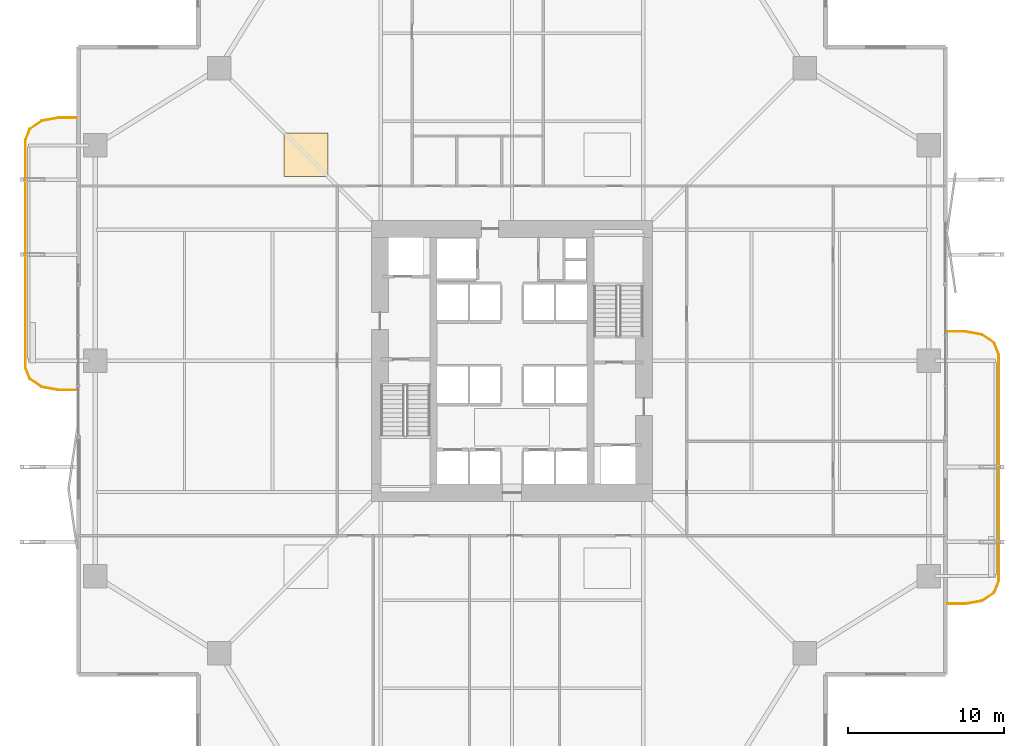
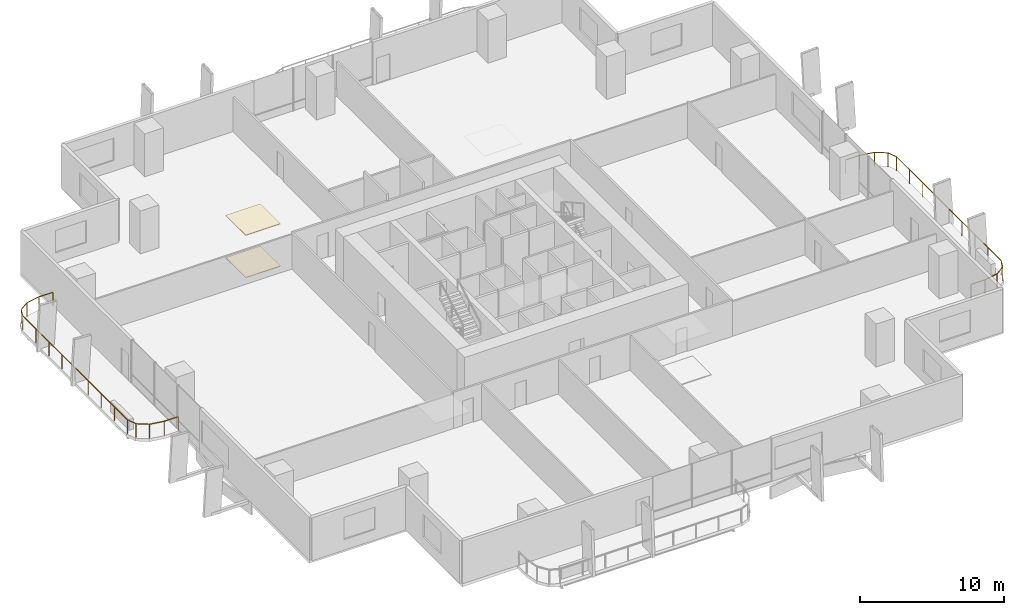
# One storey, part 22 of 23: 2 coverings, 2 railings.
"""IFC4 building model written with IfcOpenShell, lengths in metres."""

import ifcopenshell
import ifcopenshell.guid

model = None  # the IFC model being written
_history = None  # IfcOwnerHistory: only IFC2X3 demands one
_inside = {}  # id of a spatial element -> (the spatial element, [elements in it])
_under = {}  # id of a project, library or spatial element -> (it, [spatial elements below it])
_declared = {}  # id of a project -> (the project, [libraries it declares])
_typed = {}  # id of a type object -> (the type object, [elements of that type])
_made_of = {}  # id of a material, layer set ... -> (it, [elements and type objects made of it])


def new_model(schema):
    """Start an empty IFC model of exactly this schema.

    Asked for "IFC4X3", IfcOpenShell would pick the latest addendum, in which some entities
    have other attributes; the version numbers below select the first issue.
    IFC2X3 requires an IfcOwnerHistory on every rooted entity: one is made here for all.
    """
    global model, _history
    if schema == "IFC4X3":
        model = ifcopenshell.file(schema_version=(4, 3, 0, 0))
    else:
        model = ifcopenshell.file(schema=schema)
    _inside.clear()
    _under.clear()
    _declared.clear()
    _typed.clear()
    _made_of.clear()
    _history = None
    if model.schema == "IFC2X3":
        org = make("IfcOrganization", Name="unknown")
        user = make(
            "IfcPersonAndOrganization",
            ThePerson=make("IfcPerson", FamilyName="unknown"),
            TheOrganization=org,
        )
        app = make(
            "IfcApplication",
            ApplicationDeveloper=org,
            Version="unknown",
            ApplicationFullName="unknown",
            ApplicationIdentifier="unknown",
        )
        _history = make(
            "IfcOwnerHistory",
            OwningUser=user,
            OwningApplication=app,
            ChangeAction="ADDED",
            CreationDate=0,
        )
    return model


def make(cls, **values):
    """One entity of the class cls with the attributes given. An attribute that is None is left unset."""
    return model.create_entity(
        cls, **{name: value for name, value in values.items() if value is not None}
    )


def rooted(cls, **values):
    """An entity with a GlobalId (a new one), such as an element, a storey or a relation."""
    return make(cls, GlobalId=ifcopenshell.guid.new(), OwnerHistory=_history, **values)


def si_unit(unit_type, name, prefix=None):
    """IfcSIUnit, for example si_unit("LENGTHUNIT", "METRE", prefix="MILLI")."""
    return make("IfcSIUnit", UnitType=unit_type, Prefix=prefix, Name=name)


def assignment(units):
    """IfcUnitAssignment: the units of a project."""
    return None if units is None else make("IfcUnitAssignment", Units=units)


def point(xyz):
    """IfcCartesianPoint."""
    return None if xyz is None else make("IfcCartesianPoint", Coordinates=xyz)


def direction(xyz):
    """IfcDirection."""
    return None if xyz is None else make("IfcDirection", DirectionRatios=xyz)


def frame(location, z_axis=None, x_axis=None):
    """IfcAxis2Placement3D, a coordinate frame: its origin and axes. An axis left out is left unset."""
    return make(
        "IfcAxis2Placement3D",
        Location=point(location),
        Axis=direction(z_axis),
        RefDirection=direction(x_axis),
    )


def frame_2d(location, x_axis=None):
    """IfcAxis2Placement2D, a coordinate frame in the plane: its origin and x axis."""
    return make(
        "IfcAxis2Placement2D", Location=point(location), RefDirection=direction(x_axis)
    )


def origin():
    """The frame at (0, 0, 0) with its axes left unset."""
    return frame((0.0, 0.0, 0.0))


def origin_2d():
    """The frame at (0, 0) in the plane with its x axis left unset."""
    return frame_2d((0.0, 0.0))


def place(relative_to, where):
    """IfcLocalPlacement: puts the frame where relative to a parent placement (None: the world)."""
    return make(
        "IfcLocalPlacement", PlacementRelTo=relative_to, RelativePlacement=where
    )


def context(
    kind, dimensions, precision=None, world=None, true_north=None, identifier=None
):
    """IfcGeometricRepresentationContext, for example the 3D "Model" context."""
    return make(
        "IfcGeometricRepresentationContext",
        ContextIdentifier=identifier,
        ContextType=kind,
        CoordinateSpaceDimension=dimensions,
        Precision=precision,
        WorldCoordinateSystem=world,
        TrueNorth=true_north,
    )


def subcontext(parent, identifier, kind, view, scale=None):
    """IfcGeometricRepresentationSubContext, for example "Body" below "Model"."""
    return make(
        "IfcGeometricRepresentationSubContext",
        ContextIdentifier=identifier,
        ContextType=kind,
        ParentContext=parent,
        TargetScale=scale,
        TargetView=view,
    )


def project(units=None, contexts=None):
    """IfcProject with its units and contexts."""
    return rooted(
        "IfcProject",
        Name="project",
        RepresentationContexts=contexts,
        UnitsInContext=assignment(units),
    )


def spatial(cls, under=None, at=None, **own):
    """A site, building, storey or space (cls), placed at a placement, below another one or the project."""
    s = rooted(cls, ObjectPlacement=at, **own)
    if under is not None:
        _under.setdefault(under.id(), (under, []))[1].append(s)
    return s


def polyline(points):
    """IfcPolyline through the points."""
    return make("IfcPolyline", Points=[point(p) for p in points])


def profile(cls, at=None, kind="AREA", **sizes):
    """A parametric profile (cls). Its sizes go by their IFC names, for example OverallWidth=200.0."""
    return make(cls, ProfileType=kind, Position=at, **sizes)


def rectangle(**sizes):
    """IfcRectangleProfileDef."""
    return profile("IfcRectangleProfileDef", **sizes)


def outline(outer, holes=None, kind="AREA"):
    """IfcArbitraryClosedProfileDef: a profile drawn as a closed curve; with holes, ...WithVoids."""
    if holes is None:
        return make("IfcArbitraryClosedProfileDef", ProfileType=kind, OuterCurve=outer)
    return make(
        "IfcArbitraryProfileDefWithVoids",
        ProfileType=kind,
        OuterCurve=outer,
        InnerCurves=holes,
    )


def extrude(swept, where, along, depth):
    """IfcExtrudedAreaSolid: the profile swept, set in the frame where, extruded along a direction by depth."""
    return make(
        "IfcExtrudedAreaSolid",
        SweptArea=swept,
        Position=where,
        ExtrudedDirection=direction(along),
        Depth=depth,
    )


def shape(context_of_items, identifier, shape_type, items):
    """IfcShapeRepresentation: the items that make up one representation, for example the "Body"."""
    return make(
        "IfcShapeRepresentation",
        ContextOfItems=context_of_items,
        RepresentationIdentifier=identifier,
        RepresentationType=shape_type,
        Items=items,
    )


def material(Name=None, Category=None):
    """IfcMaterial."""
    return make("IfcMaterial", Name=Name, Category=Category)


def layer(
    of_material, thickness, ventilated=None, Name=None, Category=None, Priority=None
):
    """IfcMaterialLayer: one layer of a wall or slab, of a material (None: an air gap)."""
    return make(
        "IfcMaterialLayer",
        Material=of_material,
        LayerThickness=thickness,
        IsVentilated=ventilated,
        Name=Name,
        Category=Category,
        Priority=Priority,
    )


def layer_set(layers, Name=None):
    """IfcMaterialLayerSet."""
    return make("IfcMaterialLayerSet", MaterialLayers=layers, LayerSetName=Name)


def made_of(thing, what):
    """Note that an element or type object is made of a material, layer set ...; save() writes the relation."""
    if what is not None:
        _made_of.setdefault(what.id(), (what, []))[1].append(thing)
    return thing


def type_object(cls, material=None, **own):
    """A type object (cls), such as IfcWallType, which elements share."""
    return made_of(rooted(cls, **own), material)


def element(
    cls,
    number,
    at=None,
    inside=None,
    cuts=None,
    type_object=None,
    material=None,
    context=None,
    identifier="Body",
    shape_type=None,
    held_by="IfcProductDefinitionShape",
    body=None,
    shapes=None,
    **own,
):
    """One element of the class cls, such as IfcWall. Its Tag is "e" and its number.

    at: its placement. inside: the storey or other place that contains it. cuts: it is an
    opening in that element (IfcRelVoidsElement). A single representation is given by context,
    identifier, shape_type and body (its items); several are given by shapes. held_by: the class
    of the entity that holds the representations. save() writes the other relations.
    """
    e = rooted(cls, Tag="e%d" % number, ObjectPlacement=at, **own)
    if body is not None:
        shapes = [shape(context, identifier, shape_type, body)]
    if shapes is not None:
        e.Representation = make(held_by, Representations=shapes)
    if inside is not None:
        _inside.setdefault(inside.id(), (inside, []))[1].append(e)
    if cuts is not None:
        rooted(
            "IfcRelVoidsElement", RelatingBuildingElement=cuts, RelatedOpeningElement=e
        )
    if type_object is not None:
        _typed.setdefault(type_object.id(), (type_object, []))[1].append(e)
    return made_of(e, material)


def aggregate(whole, parts):
    """IfcRelAggregates: a whole, such as a stair, and the parts it consists of."""
    return rooted("IfcRelAggregates", RelatingObject=whole, RelatedObjects=parts)


def save(model, path):
    """Write the relations noted so far, then the file.

    IfcRelAggregates (storeys below a building ...), IfcRelContainedInSpatialStructure (elements
    in a storey), IfcRelDefinesByType, IfcRelAssociatesMaterial and IfcRelDeclares: one each for
    every whole, place, type object, material and project.
    """
    for whole, parts in _under.values():
        aggregate(whole, parts)
    for where, things in _inside.values():
        rooted(
            "IfcRelContainedInSpatialStructure",
            RelatedElements=things,
            RelatingStructure=where,
        )
    for kind, things in _typed.values():
        rooted("IfcRelDefinesByType", RelatedObjects=things, RelatingType=kind)
    for what, things in _made_of.values():
        rooted("IfcRelAssociatesMaterial", RelatedObjects=things, RelatingMaterial=what)
    for by, libraries in _declared.values():
        rooted("IfcRelDeclares", RelatingContext=by, RelatedDefinitions=libraries)
    model.write(path)


model = new_model("IFC4")

# Units and contexts
model_context = context("Model", 3, precision=1e-05, world=origin(), true_north=direction((0.0, 1.0)))
body_context = subcontext(model_context, "Body", "Model", "MODEL_VIEW")
ifc_project = project(units=[si_unit("LENGTHUNIT", "METRE"), si_unit("AREAUNIT", "SQUARE_METRE"), si_unit("VOLUMEUNIT", "CUBIC_METRE"), si_unit("PLANEANGLEUNIT", "RADIAN"), si_unit("MASSUNIT", "GRAM", prefix="KILO")], contexts=[model_context])

# Site, building, storey
site_placement = place(None, origin())
site = spatial("IfcSite", under=ifc_project, at=site_placement, CompositionType="ELEMENT")
building_placement = place(site_placement, origin())
building = spatial("IfcBuilding", under=site, at=building_placement, Name="Belovzor Exchange Tower", CompositionType="ELEMENT")
storey_placement = place(building_placement, frame((0.0, 0.0, 41.699951171875)))
storey = spatial("IfcBuildingStorey", under=building, at=storey_placement, Name="L09", CompositionType="ELEMENT", Elevation=41.699951171875)

# Railings
ifc_material_1 = material(Name="Stainless Steel and Laminated Safety Glass", Category="steel")
railing_type = type_object("IfcRailingType", Name="Laminated Glass & Stainless Steel Balcony Balustrade 1200", PredefinedType="BALUSTRADE", material=ifc_material_1)
railing_1_placement = place(storey_placement, frame((56.7099609375, 13.22998046875, 0.0)))
element("IfcRailing", 1, at=railing_1_placement, inside=storey, type_object=railing_type, Name="GR-1 Balcony Balustrade L09 East", PredefinedType="BALUSTRADE", context=body_context, shape_type="SweptSolid", body=[
    extrude(rectangle(XDim=0.048095703125, YDim=0.048095703125, at=origin_2d()), frame((0.0, 0.0, 1.17578125), z_axis=(1.0, 0.0, 0.0), x_axis=(0.0, 1.0, 0.0)), (0.0, 0.0, 1.0), 1.133056640625),
    extrude(rectangle(XDim=0.048095703125, YDim=0.048095703125, at=origin_2d()), frame((1.133056640625, 0.0, 1.17578125), z_axis=(0.983644145941, 0.180122719713, 0.0), x_axis=(-0.180122719713, 0.983644145941, 0.0)), (0.0, 0.0, 1.0), 1.09375),
    extrude(rectangle(XDim=0.048095703125, YDim=0.048095703125, at=origin_2d()), frame((2.208984375, 0.197021484375, 1.17578125), z_axis=(0.826614792125, 0.562768145367, 0.0), x_axis=(-0.562768145367, 0.826614792125, 0.0)), (0.0, 0.0, 1.0), 0.9326171875),
    extrude(rectangle(XDim=0.048095703125, YDim=0.048095703125, at=origin_2d()), frame((2.97998046875, 0.721923828125, 1.17578125), z_axis=(0.365504480807, 0.930809580156, 0.0), x_axis=(-0.930809580156, 0.365504480807, 0.0)), (0.0, 0.0, 1.0), 0.76611328125),
    extrude(rectangle(XDim=0.048095703125, YDim=0.048095703125, at=origin_2d()), frame((3.260009765625, 1.43505859375, 1.17578125), z_axis=(0.0, 1.0, 0.0), x_axis=(-1.0, 0.0, 0.0)), (0.0, 0.0, 1.0), 14.570068359375),
    extrude(rectangle(XDim=0.048095703125, YDim=0.048095703125, at=origin_2d()), frame((3.260009765625, 16.005126953125, 1.17578125), z_axis=(-0.365612923861, 0.930766990125, 0.0), x_axis=(-0.930766990125, -0.365612923861, 0.0)), (0.0, 0.0, 1.0), 0.765869140625),
    extrude(rectangle(XDim=0.048095703125, YDim=0.048095703125, at=origin_2d()), frame((2.97998046875, 16.718017578125, 1.17578125), z_axis=(-0.826614792125, 0.562768145367, 0.0), x_axis=(-0.562768145367, -0.826614792125, 0.0)), (0.0, 0.0, 1.0), 0.9326171875),
    extrude(rectangle(XDim=0.048095703125, YDim=0.048095703125, at=origin_2d()), frame((2.208984375, 17.242919921875, 1.17578125), z_axis=(-0.983644145941, 0.180122719713, 0.0), x_axis=(-0.180122719713, -0.983644145941, 0.0)), (0.0, 0.0, 1.0), 1.09375),
    extrude(rectangle(XDim=0.048095703125, YDim=0.048095703125, at=origin_2d()), frame((1.133056640625, 17.43994140625, 1.17578125), z_axis=(-1.0, 0.0, 0.0), x_axis=(0.0, -1.0, 0.0)), (0.0, 0.0, 1.0), 1.133056640625),
    extrude(rectangle(XDim=0.0419921875, YDim=0.0419921875, at=origin_2d()), origin(), (0.0, 0.0, 1.0), 1.15185546875),
    extrude(rectangle(XDim=0.0419921875, YDim=0.0419921875, at=origin_2d()), frame((1.133056640625, 0.0, 0.0)), (0.0, 0.0, 1.0), 1.15185546875),
    extrude(rectangle(XDim=0.0419921875, YDim=0.0419921875, at=origin_2d()), frame((2.208984375, 0.197021484375, 0.0)), (0.0, 0.0, 1.0), 1.15185546875),
    extrude(rectangle(XDim=0.0419921875, YDim=0.0419921875, at=origin_2d()), frame((2.97998046875, 0.721923828125, 0.0)), (0.0, 0.0, 1.0), 1.15185546875),
    extrude(rectangle(XDim=0.0419921875, YDim=0.0419921875, at=origin_2d()), frame((3.260009765625, 1.43505859375, 0.0)), (0.0, 0.0, 1.0), 1.15185546875),
    extrude(rectangle(XDim=0.0419921875, YDim=0.0419921875, at=origin_2d()), frame((3.260009765625, 3.25634765625, 0.0)), (0.0, 0.0, 1.0), 1.15185546875),
    extrude(rectangle(XDim=0.0419921875, YDim=0.0419921875, at=origin_2d()), frame((3.260009765625, 5.07763671875, 0.0)), (0.0, 0.0, 1.0), 1.15185546875),
    extrude(rectangle(XDim=0.0419921875, YDim=0.0419921875, at=origin_2d()), frame((3.260009765625, 6.89892578125, 0.0)), (0.0, 0.0, 1.0), 1.15185546875),
    extrude(rectangle(XDim=0.0419921875, YDim=0.0419921875, at=origin_2d()), frame((3.260009765625, 8.72021484375, 0.0)), (0.0, 0.0, 1.0), 1.15185546875),
    extrude(rectangle(XDim=0.0419921875, YDim=0.0419921875, at=origin_2d()), frame((3.260009765625, 10.541259765625, 0.0)), (0.0, 0.0, 1.0), 1.15185546875),
    extrude(rectangle(XDim=0.0419921875, YDim=0.0419921875, at=origin_2d()), frame((3.260009765625, 12.362548828125, 0.0)), (0.0, 0.0, 1.0), 1.15185546875),
    extrude(rectangle(XDim=0.0419921875, YDim=0.0419921875, at=origin_2d()), frame((3.260009765625, 14.183837890625, 0.0)), (0.0, 0.0, 1.0), 1.15185546875),
    extrude(rectangle(XDim=0.0419921875, YDim=0.0419921875, at=origin_2d()), frame((3.260009765625, 16.005126953125, 0.0)), (0.0, 0.0, 1.0), 1.15185546875),
    extrude(rectangle(XDim=0.0419921875, YDim=0.0419921875, at=origin_2d()), frame((2.97998046875, 16.718017578125, 0.0)), (0.0, 0.0, 1.0), 1.15185546875),
    extrude(rectangle(XDim=0.0419921875, YDim=0.0419921875, at=origin_2d()), frame((2.208984375, 17.242919921875, 0.0)), (0.0, 0.0, 1.0), 1.15185546875),
    extrude(rectangle(XDim=0.0419921875, YDim=0.0419921875, at=origin_2d()), frame((1.133056640625, 17.43994140625, 0.0)), (0.0, 0.0, 1.0), 1.15185546875),
    extrude(rectangle(XDim=0.0419921875, YDim=0.0419921875, at=origin_2d()), frame((0.0, 17.43994140625, 0.0)), (0.0, 0.0, 1.0), 1.15185546875),
])
railing_2_placement = place(storey_placement, frame((0.889892578125, 44.3701171875, 0.0)))
element("IfcRailing", 2, at=railing_2_placement, inside=storey, type_object=railing_type, Name="GR-1 Balcony Balustrade L09 West", PredefinedType="BALUSTRADE", context=body_context, shape_type="SweptSolid", body=[
    extrude(rectangle(XDim=0.048095703125, YDim=0.048095703125, at=origin_2d()), frame((0.0, 0.0, 1.17578125), z_axis=(-1.0, 0.0, 0.0), x_axis=(0.0, -1.0, 0.0)), (0.0, 0.0, 1.0), 1.1328125),
    extrude(rectangle(XDim=0.048095703125, YDim=0.048095703125, at=origin_2d()), frame((-1.1328125, 0.0, 1.17578125), z_axis=(-0.983651385113, -0.180083182347, 0.0), x_axis=(0.180083182347, -0.983651385113, 0.0)), (0.0, 0.0, 1.0), 1.093994140625),
    extrude(rectangle(XDim=0.048095703125, YDim=0.048095703125, at=origin_2d()), frame((-2.208984375, -0.197021484375, 1.17578125), z_axis=(-0.826493025367, -0.56294695933, 0.0), x_axis=(0.56294695933, -0.826493025367, 0.0)), (0.0, 0.0, 1.0), 0.932861328125),
    extrude(rectangle(XDim=0.048095703125, YDim=0.048095703125, at=origin_2d()), frame((-2.97998046875, -0.72216796875, 1.17578125), z_axis=(-0.365612923861, -0.930766990125, 0.0), x_axis=(0.930766990125, -0.365612923861, 0.0)), (0.0, 0.0, 1.0), 0.765869140625),
    extrude(rectangle(XDim=0.048095703125, YDim=0.048095703125, at=origin_2d()), frame((-3.260009765625, -1.43505859375, 1.17578125), z_axis=(0.0, -1.0, 0.0), x_axis=(1.0, 0.0, 0.0)), (0.0, 0.0, 1.0), 14.570068359375),
    extrude(rectangle(XDim=0.048095703125, YDim=0.048095703125, at=origin_2d()), frame((-3.260009765625, -16.005126953125, 1.17578125), z_axis=(0.365612923861, -0.930766990125, 0.0), x_axis=(0.930766990125, 0.365612923861, 0.0)), (0.0, 0.0, 1.0), 0.765869140625),
    extrude(rectangle(XDim=0.048095703125, YDim=0.048095703125, at=origin_2d()), frame((-2.97998046875, -16.718017578125, 1.17578125), z_axis=(0.826493025367, -0.56294695933, 0.0), x_axis=(0.56294695933, 0.826493025367, 0.0)), (0.0, 0.0, 1.0), 0.932861328125),
    extrude(rectangle(XDim=0.048095703125, YDim=0.048095703125, at=origin_2d()), frame((-2.208984375, -17.2431640625, 1.17578125), z_axis=(0.983651385113, -0.180083182347, 0.0), x_axis=(0.180083182347, 0.983651385113, 0.0)), (0.0, 0.0, 1.0), 1.093994140625),
    extrude(rectangle(XDim=0.048095703125, YDim=0.048095703125, at=origin_2d()), frame((-1.1328125, -17.440185546875, 1.17578125), z_axis=(1.0, 0.0, 0.0), x_axis=(0.0, 1.0, 0.0)), (0.0, 0.0, 1.0), 1.1328125),
    extrude(rectangle(XDim=0.0419921875, YDim=0.0419921875, at=origin_2d()), origin(), (0.0, 0.0, 1.0), 1.15185546875),
    extrude(rectangle(XDim=0.0419921875, YDim=0.0419921875, at=origin_2d()), frame((-1.1328125, 0.0, 0.0)), (0.0, 0.0, 1.0), 1.15185546875),
    extrude(rectangle(XDim=0.0419921875, YDim=0.0419921875, at=origin_2d()), frame((-2.208984375, -0.197021484375, 0.0)), (0.0, 0.0, 1.0), 1.15185546875),
    extrude(rectangle(XDim=0.0419921875, YDim=0.0419921875, at=origin_2d()), frame((-2.97998046875, -0.72216796875, 0.0)), (0.0, 0.0, 1.0), 1.15185546875),
    extrude(rectangle(XDim=0.0419921875, YDim=0.0419921875, at=origin_2d()), frame((-3.260009765625, -1.43505859375, 0.0)), (0.0, 0.0, 1.0), 1.15185546875),
    extrude(rectangle(XDim=0.0419921875, YDim=0.0419921875, at=origin_2d()), frame((-3.260009765625, -3.25634765625, 0.0)), (0.0, 0.0, 1.0), 1.15185546875),
    extrude(rectangle(XDim=0.0419921875, YDim=0.0419921875, at=origin_2d()), frame((-3.260009765625, -5.07763671875, 0.0)), (0.0, 0.0, 1.0), 1.15185546875),
    extrude(rectangle(XDim=0.0419921875, YDim=0.0419921875, at=origin_2d()), frame((-3.260009765625, -6.89892578125, 0.0)), (0.0, 0.0, 1.0), 1.15185546875),
    extrude(rectangle(XDim=0.0419921875, YDim=0.0419921875, at=origin_2d()), frame((-3.260009765625, -8.72021484375, 0.0)), (0.0, 0.0, 1.0), 1.15185546875),
    extrude(rectangle(XDim=0.0419921875, YDim=0.0419921875, at=origin_2d()), frame((-3.260009765625, -10.541259765625, 0.0)), (0.0, 0.0, 1.0), 1.15185546875),
    extrude(rectangle(XDim=0.0419921875, YDim=0.0419921875, at=origin_2d()), frame((-3.260009765625, -12.362548828125, 0.0)), (0.0, 0.0, 1.0), 1.15185546875),
    extrude(rectangle(XDim=0.0419921875, YDim=0.0419921875, at=origin_2d()), frame((-3.260009765625, -14.183837890625, 0.0)), (0.0, 0.0, 1.0), 1.15185546875),
    extrude(rectangle(XDim=0.0419921875, YDim=0.0419921875, at=origin_2d()), frame((-3.260009765625, -16.005126953125, 0.0)), (0.0, 0.0, 1.0), 1.15185546875),
    extrude(rectangle(XDim=0.0419921875, YDim=0.0419921875, at=origin_2d()), frame((-2.97998046875, -16.718017578125, 0.0)), (0.0, 0.0, 1.0), 1.15185546875),
    extrude(rectangle(XDim=0.0419921875, YDim=0.0419921875, at=origin_2d()), frame((-2.208984375, -17.2431640625, 0.0)), (0.0, 0.0, 1.0), 1.15185546875),
    extrude(rectangle(XDim=0.0419921875, YDim=0.0419921875, at=origin_2d()), frame((-1.1328125, -17.440185546875, 0.0)), (0.0, 0.0, 1.0), 1.15185546875),
    extrude(rectangle(XDim=0.0419921875, YDim=0.0419921875, at=origin_2d()), frame((0.0, -17.440185546875, 0.0)), (0.0, 0.0, 1.0), 1.15185546875),
])

# Coverings
ifc_material_2 = material(Name="Perforated Powder-Coated Aluminium", Category="aluminium")
ifc_layer_1 = layer(ifc_material_2, 0.06005859375)
ifc_layer_set_1 = layer_set([ifc_layer_1], Name="Perforated Powder-Coated Aluminium")
covering_type_1 = type_object("IfcCoveringType", Name="Perforated Acoustic Metal Tile Suspended Ceiling 60", PredefinedType="CEILING", material=ifc_layer_set_1)
covering_1_placement = place(storey_placement, frame((0.0, 0.0, 3.590087890625)))
element("IfcCovering", 3, at=covering_1_placement, inside=storey, type_object=covering_type_1, Name="CLG-AC60 Suspended Ceiling CLG-L09-Z3", PredefinedType="CEILING", context=body_context, shape_type="SweptSolid", body=[
    extrude(outline(polyline([(14.199951171875, 40.60009765625), (17.0, 40.60009765625), (17.0, 43.39990234375), (14.199951171875, 43.39990234375), (14.199951171875, 40.60009765625)])), origin(), (0.0, 0.0, 1.0), 0.06005859375),
])
ifc_material_3 = material(Name="Polished Natural Granite Tile", Category="masonry")
ifc_layer_2 = layer(ifc_material_3, 0.050048828125)
ifc_layer_set_2 = layer_set([ifc_layer_2], Name="Polished Natural Granite Tile")
covering_type_2 = type_object("IfcCoveringType", Name="Polished Karelian Granite & Raised Access Floor Finish 50", PredefinedType="FLOORING", material=ifc_layer_set_2)
covering_2_placement = place(storey_placement, origin())
element("IfcCovering", 4, at=covering_2_placement, inside=storey, type_object=covering_type_2, Name="FLR-GR50 Floor Finish FLR-L09-Z3", PredefinedType="FLOORING", context=body_context, shape_type="SweptSolid", body=[
    extrude(outline(polyline([(14.199951171875, 40.60009765625), (17.0, 40.60009765625), (17.0, 43.39990234375), (14.199951171875, 43.39990234375), (14.199951171875, 40.60009765625)])), origin(), (0.0, 0.0, 1.0), 0.050048828125),
])

save(model, "model.ifc")
